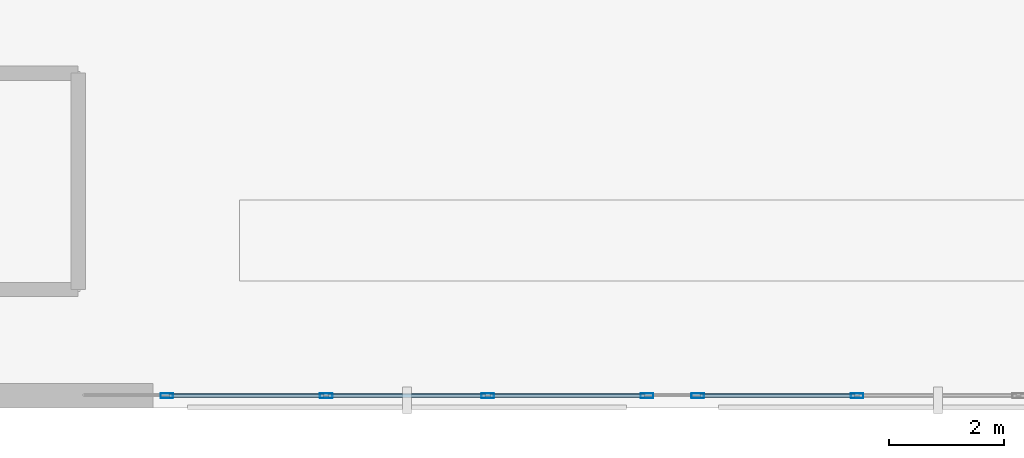
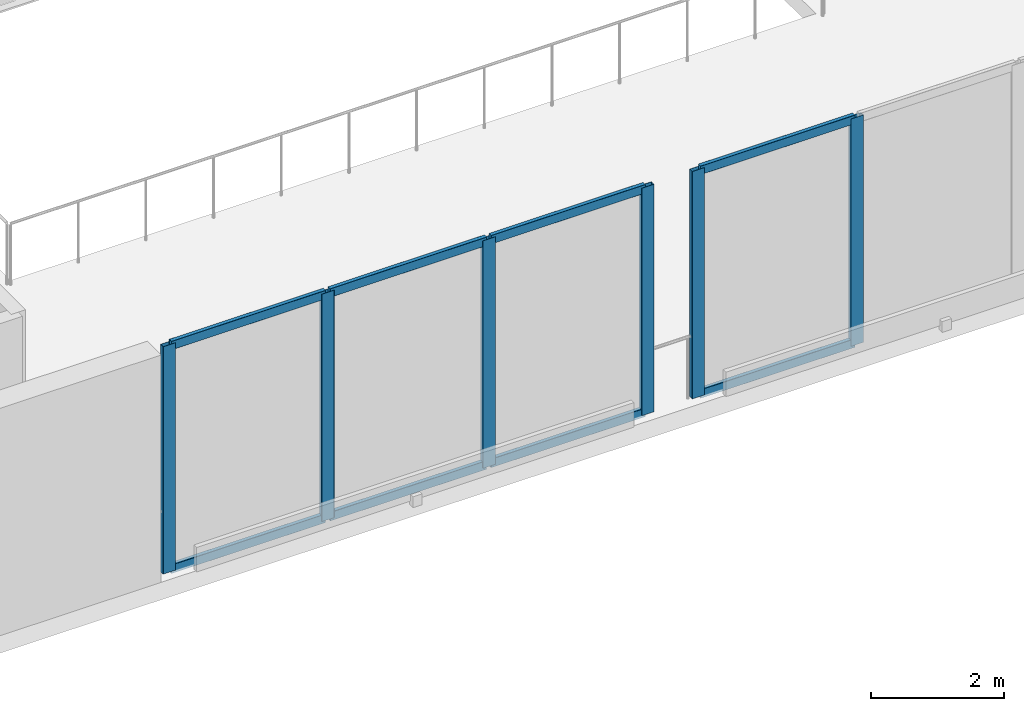
# One storey, part 2 of 32: 14 members, 2 elements without a shape of their own.
"""IFC4 building model written with IfcOpenShell, lengths in metres."""

import ifcopenshell
import ifcopenshell.guid

model = None  # the IFC model being written
_history = None  # IfcOwnerHistory: only IFC2X3 demands one
_inside = {}  # id of a spatial element -> (the spatial element, [elements in it])
_under = {}  # id of a project, library or spatial element -> (it, [spatial elements below it])
_declared = {}  # id of a project -> (the project, [libraries it declares])
_typed = {}  # id of a type object -> (the type object, [elements of that type])
_made_of = {}  # id of a material, layer set ... -> (it, [elements and type objects made of it])


def new_model(schema):
    """Start an empty IFC model of exactly this schema.

    Asked for "IFC4X3", IfcOpenShell would pick the latest addendum, in which some entities
    have other attributes; the version numbers below select the first issue.
    IFC2X3 requires an IfcOwnerHistory on every rooted entity: one is made here for all.
    """
    global model, _history
    if schema == "IFC4X3":
        model = ifcopenshell.file(schema_version=(4, 3, 0, 0))
    else:
        model = ifcopenshell.file(schema=schema)
    _inside.clear()
    _under.clear()
    _declared.clear()
    _typed.clear()
    _made_of.clear()
    _history = None
    if model.schema == "IFC2X3":
        org = make("IfcOrganization", Name="unknown")
        user = make(
            "IfcPersonAndOrganization",
            ThePerson=make("IfcPerson", FamilyName="unknown"),
            TheOrganization=org,
        )
        app = make(
            "IfcApplication",
            ApplicationDeveloper=org,
            Version="unknown",
            ApplicationFullName="unknown",
            ApplicationIdentifier="unknown",
        )
        _history = make(
            "IfcOwnerHistory",
            OwningUser=user,
            OwningApplication=app,
            ChangeAction="ADDED",
            CreationDate=0,
        )
    return model


def make(cls, **values):
    """One entity of the class cls with the attributes given. An attribute that is None is left unset."""
    return model.create_entity(
        cls, **{name: value for name, value in values.items() if value is not None}
    )


def rooted(cls, **values):
    """An entity with a GlobalId (a new one), such as an element, a storey or a relation."""
    return make(cls, GlobalId=ifcopenshell.guid.new(), OwnerHistory=_history, **values)


def si_unit(unit_type, name, prefix=None):
    """IfcSIUnit, for example si_unit("LENGTHUNIT", "METRE", prefix="MILLI")."""
    return make("IfcSIUnit", UnitType=unit_type, Prefix=prefix, Name=name)


def assignment(units):
    """IfcUnitAssignment: the units of a project."""
    return None if units is None else make("IfcUnitAssignment", Units=units)


def point(xyz):
    """IfcCartesianPoint."""
    return None if xyz is None else make("IfcCartesianPoint", Coordinates=xyz)


def direction(xyz):
    """IfcDirection."""
    return None if xyz is None else make("IfcDirection", DirectionRatios=xyz)


def frame(location, z_axis=None, x_axis=None):
    """IfcAxis2Placement3D, a coordinate frame: its origin and axes. An axis left out is left unset."""
    return make(
        "IfcAxis2Placement3D",
        Location=point(location),
        Axis=direction(z_axis),
        RefDirection=direction(x_axis),
    )


def frame_2d(location, x_axis=None):
    """IfcAxis2Placement2D, a coordinate frame in the plane: its origin and x axis."""
    return make(
        "IfcAxis2Placement2D", Location=point(location), RefDirection=direction(x_axis)
    )


def origin():
    """The frame at (0, 0, 0) with its axes left unset."""
    return frame((0.0, 0.0, 0.0))


def origin_2d():
    """The frame at (0, 0) in the plane with its x axis left unset."""
    return frame_2d((0.0, 0.0))


def place(relative_to, where):
    """IfcLocalPlacement: puts the frame where relative to a parent placement (None: the world)."""
    return make(
        "IfcLocalPlacement", PlacementRelTo=relative_to, RelativePlacement=where
    )


def context(
    kind, dimensions, precision=None, world=None, true_north=None, identifier=None
):
    """IfcGeometricRepresentationContext, for example the 3D "Model" context."""
    return make(
        "IfcGeometricRepresentationContext",
        ContextIdentifier=identifier,
        ContextType=kind,
        CoordinateSpaceDimension=dimensions,
        Precision=precision,
        WorldCoordinateSystem=world,
        TrueNorth=true_north,
    )


def subcontext(parent, identifier, kind, view, scale=None):
    """IfcGeometricRepresentationSubContext, for example "Body" below "Model"."""
    return make(
        "IfcGeometricRepresentationSubContext",
        ContextIdentifier=identifier,
        ContextType=kind,
        ParentContext=parent,
        TargetScale=scale,
        TargetView=view,
    )


def project(units=None, contexts=None):
    """IfcProject with its units and contexts."""
    return rooted(
        "IfcProject",
        Name="project",
        RepresentationContexts=contexts,
        UnitsInContext=assignment(units),
    )


def spatial(cls, under=None, at=None, **own):
    """A site, building, storey or space (cls), placed at a placement, below another one or the project."""
    s = rooted(cls, ObjectPlacement=at, **own)
    if under is not None:
        _under.setdefault(under.id(), (under, []))[1].append(s)
    return s


def profile(cls, at=None, kind="AREA", **sizes):
    """A parametric profile (cls). Its sizes go by their IFC names, for example OverallWidth=200.0."""
    return make(cls, ProfileType=kind, Position=at, **sizes)


def hollow_rectangle(**sizes):
    """IfcRectangleHollowProfileDef."""
    return profile("IfcRectangleHollowProfileDef", **sizes)


def extrude(swept, where, along, depth):
    """IfcExtrudedAreaSolid: the profile swept, set in the frame where, extruded along a direction by depth."""
    return make(
        "IfcExtrudedAreaSolid",
        SweptArea=swept,
        Position=where,
        ExtrudedDirection=direction(along),
        Depth=depth,
    )


def shape(context_of_items, identifier, shape_type, items):
    """IfcShapeRepresentation: the items that make up one representation, for example the "Body"."""
    return make(
        "IfcShapeRepresentation",
        ContextOfItems=context_of_items,
        RepresentationIdentifier=identifier,
        RepresentationType=shape_type,
        Items=items,
    )


def material(Name=None, Category=None):
    """IfcMaterial."""
    return make("IfcMaterial", Name=Name, Category=Category)


def material_profile(
    of_material, cross_section, Name=None, Category=None, Priority=None
):
    """IfcMaterialProfile: a cross section and its material."""
    return make(
        "IfcMaterialProfile",
        Name=Name,
        Material=of_material,
        Profile=cross_section,
        Priority=Priority,
        Category=Category,
    )


def profile_set(profiles, Name=None, composite=None):
    """IfcMaterialProfileSet."""
    return make(
        "IfcMaterialProfileSet",
        Name=Name,
        MaterialProfiles=profiles,
        CompositeProfile=composite,
    )


def made_of(thing, what):
    """Note that an element or type object is made of a material, layer set ...; save() writes the relation."""
    if what is not None:
        _made_of.setdefault(what.id(), (what, []))[1].append(thing)
    return thing


def type_object(cls, material=None, **own):
    """A type object (cls), such as IfcWallType, which elements share."""
    return made_of(rooted(cls, **own), material)


def element(
    cls,
    number,
    at=None,
    inside=None,
    cuts=None,
    type_object=None,
    material=None,
    context=None,
    identifier="Body",
    shape_type=None,
    held_by="IfcProductDefinitionShape",
    body=None,
    shapes=None,
    **own,
):
    """One element of the class cls, such as IfcWall. Its Tag is "e" and its number.

    at: its placement. inside: the storey or other place that contains it. cuts: it is an
    opening in that element (IfcRelVoidsElement). A single representation is given by context,
    identifier, shape_type and body (its items); several are given by shapes. held_by: the class
    of the entity that holds the representations. save() writes the other relations.
    """
    e = rooted(cls, Tag="e%d" % number, ObjectPlacement=at, **own)
    if body is not None:
        shapes = [shape(context, identifier, shape_type, body)]
    if shapes is not None:
        e.Representation = make(held_by, Representations=shapes)
    if inside is not None:
        _inside.setdefault(inside.id(), (inside, []))[1].append(e)
    if cuts is not None:
        rooted(
            "IfcRelVoidsElement", RelatingBuildingElement=cuts, RelatedOpeningElement=e
        )
    if type_object is not None:
        _typed.setdefault(type_object.id(), (type_object, []))[1].append(e)
    return made_of(e, material)


def aggregate(whole, parts):
    """IfcRelAggregates: a whole, such as a stair, and the parts it consists of."""
    return rooted("IfcRelAggregates", RelatingObject=whole, RelatedObjects=parts)


def save(model, path):
    """Write the relations noted so far, then the file.

    IfcRelAggregates (storeys below a building ...), IfcRelContainedInSpatialStructure (elements
    in a storey), IfcRelDefinesByType, IfcRelAssociatesMaterial and IfcRelDeclares: one each for
    every whole, place, type object, material and project.
    """
    for whole, parts in _under.values():
        aggregate(whole, parts)
    for where, things in _inside.values():
        rooted(
            "IfcRelContainedInSpatialStructure",
            RelatedElements=things,
            RelatingStructure=where,
        )
    for kind, things in _typed.values():
        rooted("IfcRelDefinesByType", RelatedObjects=things, RelatingType=kind)
    for what, things in _made_of.values():
        rooted("IfcRelAssociatesMaterial", RelatedObjects=things, RelatingMaterial=what)
    for by, libraries in _declared.values():
        rooted("IfcRelDeclares", RelatingContext=by, RelatedDefinitions=libraries)
    model.write(path)


model = new_model("IFC4")

# Units and contexts
model_context = context("Model", 3, precision=1e-05, world=origin(), true_north=direction((0.0, 1.0)))
body_context = subcontext(model_context, "Body", "Model", "MODEL_VIEW")
ifc_project = project(units=[si_unit("LENGTHUNIT", "METRE"), si_unit("AREAUNIT", "SQUARE_METRE"), si_unit("VOLUMEUNIT", "CUBIC_METRE"), si_unit("PLANEANGLEUNIT", "RADIAN"), si_unit("MASSUNIT", "GRAM", prefix="KILO")], contexts=[model_context])

# Site, building, storey
site_placement = place(None, origin())
site = spatial("IfcSite", under=ifc_project, at=site_placement, CompositionType="ELEMENT")
building_placement = place(site_placement, origin())
building = spatial("IfcBuilding", under=site, at=building_placement, Name="Narakoshi Arena Tower", CompositionType="ELEMENT")
storey_placement = place(building_placement, frame((0.0, 0.0, 4.5)))
storey = spatial("IfcBuildingStorey", under=building, at=storey_placement, Name="L01", CompositionType="ELEMENT", Elevation=4.5)

# Curtain wall, members
ifc_material = material(Name="Anodised bronze aluminium 6063-T6", Category="aluminium")
curtain_wall_type = type_object("IfcCurtainWallType", Name="CW-POD-CONC", PredefinedType="NOTDEFINED", material=ifc_material)
curtain_wall_1_placement = place(storey_placement, origin())
curtain_wall_1 = element("IfcCurtainWall", 1, at=curtain_wall_1_placement, inside=storey, type_object=curtain_wall_type, Name="L01 Street Concourse Curtain Wall CS1", PredefinedType="NOTDEFINED")
ifc_material_profile_1 = material_profile(ifc_material, hollow_rectangle(XDim=0.080078125, YDim=0.219970703125, WallThickness=0.0048828125, OuterFilletRadius=0.006103515625, at=origin_2d()), Name="MUL220x80x5")
ifc_profile_set_1 = profile_set([ifc_material_profile_1], Name="Anodised bronze aluminium 6063-T6")
member_type_1 = type_object("IfcMemberType", Name="MEM-MUL-220", PredefinedType="MULLION", material=ifc_profile_set_1)
member_1_placement = place(storey_placement, frame((52.239990234375, 0.2099609375, 0.0), z_axis=(0.0, 0.0, 1.0), x_axis=(0.0, 1.0, 0.0)))
member_1 = element("IfcMember", 2, at=member_1_placement, type_object=member_type_1, Name="CW-04 mullion 1", PredefinedType="MULLION", context=body_context, shape_type="SweptSolid", body=[
    extrude(hollow_rectangle(XDim=0.080078125, YDim=0.219970703125, WallThickness=0.0048828125, OuterFilletRadius=0.006103515625, at=origin_2d()), origin(), (0.0, 0.0, 1.0), 4.179931640625),
])
member_2_placement = place(storey_placement, frame((55.0, 0.2099609375, 0.0), z_axis=(0.0, 0.0, 1.0), x_axis=(0.0, 1.0, 0.0)))
member_2 = element("IfcMember", 3, at=member_2_placement, type_object=member_type_1, Name="CW-04 mullion 2", PredefinedType="MULLION", context=body_context, shape_type="SweptSolid", body=[
    extrude(hollow_rectangle(XDim=0.080078125, YDim=0.219970703125, WallThickness=0.0048828125, OuterFilletRadius=0.006103515625, at=origin_2d()), origin(), (0.0, 0.0, 1.0), 4.179931640625),
])
member_3_placement = place(storey_placement, frame((57.800048828125, 0.2099609375, 0.0), z_axis=(0.0, 0.0, 1.0), x_axis=(0.0, 1.0, 0.0)))
member_3 = element("IfcMember", 4, at=member_3_placement, type_object=member_type_1, Name="CW-04 mullion 3", PredefinedType="MULLION", context=body_context, shape_type="SweptSolid", body=[
    extrude(hollow_rectangle(XDim=0.080078125, YDim=0.219970703125, WallThickness=0.0048828125, OuterFilletRadius=0.006103515625, at=origin_2d()), origin(), (0.0, 0.0, 1.0), 4.179931640625),
])
member_4_placement = place(storey_placement, frame((60.56005859375, 0.2099609375, 0.0), z_axis=(0.0, 0.0, 1.0), x_axis=(0.0, 1.0, 0.0)))
member_4 = element("IfcMember", 5, at=member_4_placement, type_object=member_type_1, Name="CW-04 mullion 4", PredefinedType="MULLION", context=body_context, shape_type="SweptSolid", body=[
    extrude(hollow_rectangle(XDim=0.080078125, YDim=0.219970703125, WallThickness=0.0048828125, OuterFilletRadius=0.006103515625, at=origin_2d()), origin(), (0.0, 0.0, 1.0), 4.179931640625),
])

curtain_wall_2_placement = place(storey_placement, origin())
curtain_wall_2 = element("IfcCurtainWall", 6, at=curtain_wall_2_placement, inside=storey, type_object=curtain_wall_type, Name="L01 Street Concourse Curtain Wall CS2", PredefinedType="NOTDEFINED")
member_5_placement = place(storey_placement, frame((61.43994140625, 0.2099609375, 0.0), z_axis=(0.0, 0.0, 1.0), x_axis=(0.0, 1.0, 0.0)))
member_5 = element("IfcMember", 7, at=member_5_placement, type_object=member_type_1, Name="CW-04 mullion 1", PredefinedType="MULLION", context=body_context, shape_type="SweptSolid", body=[
    extrude(hollow_rectangle(XDim=0.080078125, YDim=0.219970703125, WallThickness=0.0048828125, OuterFilletRadius=0.006103515625, at=origin_2d()), origin(), (0.0, 0.0, 1.0), 4.179931640625),
])
member_6_placement = place(storey_placement, frame((64.199951171875, 0.2099609375, 0.0), z_axis=(0.0, 0.0, 1.0), x_axis=(0.0, 1.0, 0.0)))
member_6 = element("IfcMember", 8, at=member_6_placement, type_object=member_type_1, Name="CW-04 mullion 2", PredefinedType="MULLION", context=body_context, shape_type="SweptSolid", body=[
    extrude(hollow_rectangle(XDim=0.080078125, YDim=0.219970703125, WallThickness=0.0048828125, OuterFilletRadius=0.006103515625, at=origin_2d()), origin(), (0.0, 0.0, 1.0), 4.179931640625),
])

# Member
ifc_material_profile_2 = material_profile(ifc_material, hollow_rectangle(XDim=0.070068359375, YDim=0.159912109375, WallThickness=0.00390625, OuterFilletRadius=0.0048828125, at=origin_2d()), Name="TRN160x70x4")
ifc_profile_set_2 = profile_set([ifc_material_profile_2], Name="Anodised bronze aluminium 6063-T6")
member_type_2 = type_object("IfcMemberType", Name="MEM-TRN-160", PredefinedType="USERDEFINED", material=ifc_profile_set_2)
member_7_placement = place(storey_placement, frame((52.280029296875, 0.2099609375, 0.034912109375), z_axis=(1.0, 0.0, 0.0), x_axis=(0.0, 1.0, 0.0)))
member_7 = element("IfcMember", 9, at=member_7_placement, type_object=member_type_2, Name="CW-04 transom 1.1", ObjectType="TRANSOM", PredefinedType="USERDEFINED", context=body_context, shape_type="SweptSolid", body=[
    extrude(hollow_rectangle(XDim=0.070068359375, YDim=0.159912109375, WallThickness=0.00390625, OuterFilletRadius=0.0048828125, at=origin_2d()), origin(), (0.0, 0.0, 1.0), 2.679931640625),
])

member_8_placement = place(storey_placement, frame((52.280029296875, 0.2099609375, 4.14501953125), z_axis=(1.0, 0.0, 0.0), x_axis=(0.0, 1.0, 0.0)))
member_8 = element("IfcMember", 10, at=member_8_placement, type_object=member_type_2, Name="CW-04 transom 1.2", ObjectType="TRANSOM", PredefinedType="USERDEFINED", context=body_context, shape_type="SweptSolid", body=[
    extrude(hollow_rectangle(XDim=0.070068359375, YDim=0.159912109375, WallThickness=0.00390625, OuterFilletRadius=0.0048828125, at=origin_2d()), origin(), (0.0, 0.0, 1.0), 2.679931640625),
])

member_9_placement = place(storey_placement, frame((55.0400390625, 0.2099609375, 0.034912109375), z_axis=(1.0, 0.0, 0.0), x_axis=(0.0, 1.0, 0.0)))
member_9 = element("IfcMember", 11, at=member_9_placement, type_object=member_type_2, Name="CW-04 transom 2.1", ObjectType="TRANSOM", PredefinedType="USERDEFINED", context=body_context, shape_type="SweptSolid", body=[
    extrude(hollow_rectangle(XDim=0.070068359375, YDim=0.159912109375, WallThickness=0.00390625, OuterFilletRadius=0.0048828125, at=origin_2d()), origin(), (0.0, 0.0, 1.0), 2.719970703125),
])

member_10_placement = place(storey_placement, frame((55.0400390625, 0.2099609375, 4.14501953125), z_axis=(1.0, 0.0, 0.0), x_axis=(0.0, 1.0, 0.0)))
member_10 = element("IfcMember", 12, at=member_10_placement, type_object=member_type_2, Name="CW-04 transom 2.2", ObjectType="TRANSOM", PredefinedType="USERDEFINED", context=body_context, shape_type="SweptSolid", body=[
    extrude(hollow_rectangle(XDim=0.070068359375, YDim=0.159912109375, WallThickness=0.00390625, OuterFilletRadius=0.0048828125, at=origin_2d()), origin(), (0.0, 0.0, 1.0), 2.719970703125),
])

member_11_placement = place(storey_placement, frame((57.840087890625, 0.2099609375, 0.034912109375), z_axis=(1.0, 0.0, 0.0), x_axis=(0.0, 1.0, 0.0)))
member_11 = element("IfcMember", 13, at=member_11_placement, type_object=member_type_2, Name="CW-04 transom 3.1", ObjectType="TRANSOM", PredefinedType="USERDEFINED", context=body_context, shape_type="SweptSolid", body=[
    extrude(hollow_rectangle(XDim=0.070068359375, YDim=0.159912109375, WallThickness=0.00390625, OuterFilletRadius=0.0048828125, at=origin_2d()), origin(), (0.0, 0.0, 1.0), 2.679931640625),
])

member_12_placement = place(storey_placement, frame((57.840087890625, 0.2099609375, 4.14501953125), z_axis=(1.0, 0.0, 0.0), x_axis=(0.0, 1.0, 0.0)))
member_12 = element("IfcMember", 14, at=member_12_placement, type_object=member_type_2, Name="CW-04 transom 3.2", ObjectType="TRANSOM", PredefinedType="USERDEFINED", context=body_context, shape_type="SweptSolid", body=[
    extrude(hollow_rectangle(XDim=0.070068359375, YDim=0.159912109375, WallThickness=0.00390625, OuterFilletRadius=0.0048828125, at=origin_2d()), origin(), (0.0, 0.0, 1.0), 2.679931640625),
])

aggregate(curtain_wall_1, [member_1, member_2, member_3, member_4, member_7, member_8, member_9, member_10, member_11, member_12])

member_13_placement = place(storey_placement, frame((61.47998046875, 0.2099609375, 0.034912109375), z_axis=(1.0, 0.0, 0.0), x_axis=(0.0, 1.0, 0.0)))
member_13 = element("IfcMember", 15, at=member_13_placement, type_object=member_type_2, Name="CW-04 transom 1.1", ObjectType="TRANSOM", PredefinedType="USERDEFINED", context=body_context, shape_type="SweptSolid", body=[
    extrude(hollow_rectangle(XDim=0.070068359375, YDim=0.159912109375, WallThickness=0.00390625, OuterFilletRadius=0.0048828125, at=origin_2d()), origin(), (0.0, 0.0, 1.0), 2.679931640625),
])

member_14_placement = place(storey_placement, frame((61.47998046875, 0.2099609375, 4.14501953125), z_axis=(1.0, 0.0, 0.0), x_axis=(0.0, 1.0, 0.0)))
member_14 = element("IfcMember", 16, at=member_14_placement, type_object=member_type_2, Name="CW-04 transom 1.2", ObjectType="TRANSOM", PredefinedType="USERDEFINED", context=body_context, shape_type="SweptSolid", body=[
    extrude(hollow_rectangle(XDim=0.070068359375, YDim=0.159912109375, WallThickness=0.00390625, OuterFilletRadius=0.0048828125, at=origin_2d()), origin(), (0.0, 0.0, 1.0), 2.679931640625),
])

aggregate(curtain_wall_2, [member_5, member_6, member_13, member_14])

save(model, "model.ifc")
